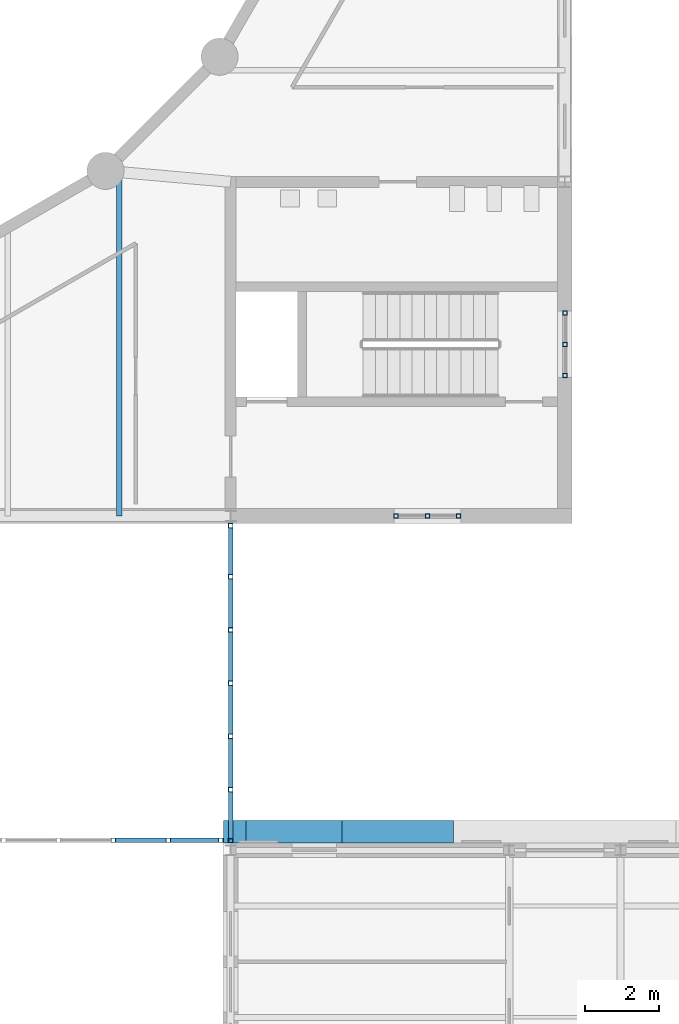
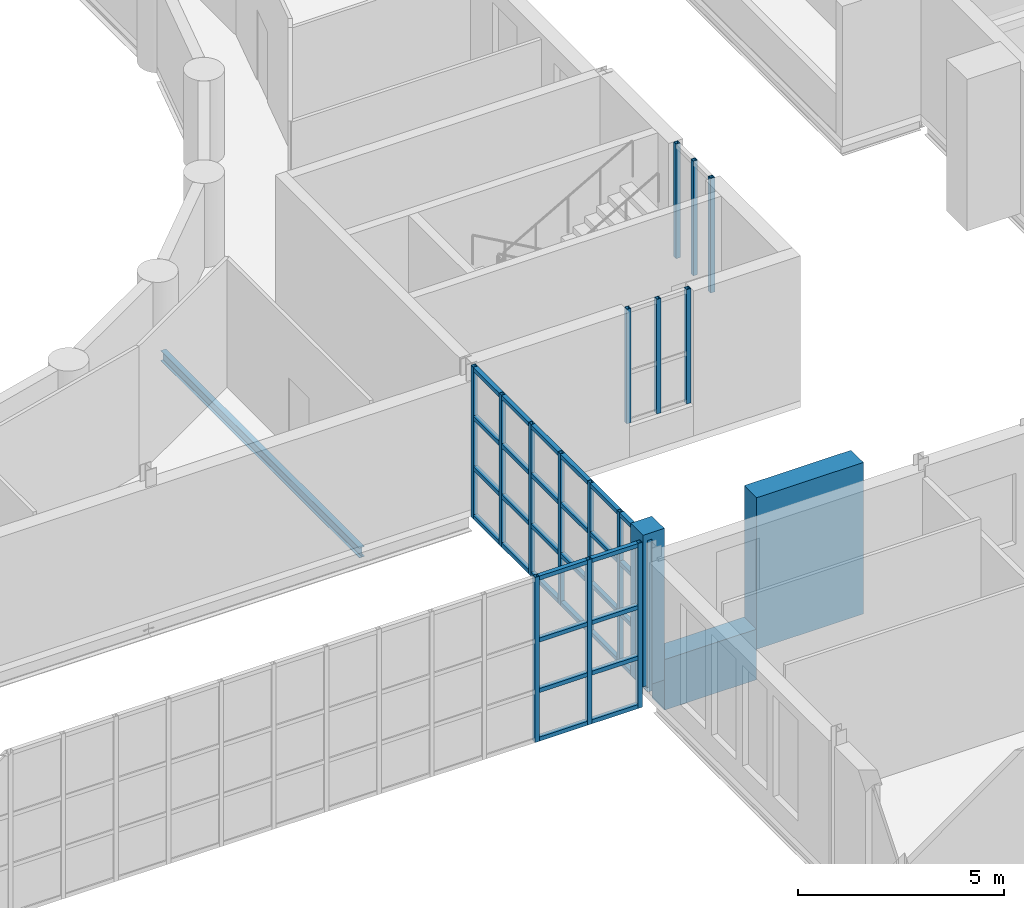
# One storey, part 46 of 134: 50 members, 2 beams, 4 elements without a shape of their own.
"""IFC4 building model written with IfcOpenShell, lengths in metres."""

from ifc_helpers import new_model, si_unit, direction, frame, origin, origin_2d, place, context, subcontext, project, spatial, rectangle, hollow_rectangle, i_section, extrude, material, material_profile, profile_set, type_object, element, aggregate, save


model = new_model("IFC4")

# Units and contexts
model_context = context("Model", 3, precision=1e-05, world=origin(), true_north=direction((0.0, 1.0)))
body_context = subcontext(model_context, "Body", "Model", "MODEL_VIEW")
ifc_project = project(units=[si_unit("LENGTHUNIT", "METRE"), si_unit("AREAUNIT", "SQUARE_METRE"), si_unit("VOLUMEUNIT", "CUBIC_METRE"), si_unit("PLANEANGLEUNIT", "RADIAN"), si_unit("MASSUNIT", "GRAM", prefix="KILO")], contexts=[model_context])

# Site, building, storey
site_placement = place(None, origin())
site = spatial("IfcSite", under=ifc_project, at=site_placement, CompositionType="ELEMENT")
building_placement = place(site_placement, origin())
building = spatial("IfcBuilding", under=site, at=building_placement, Name="Golden Quay Civic Hall", CompositionType="ELEMENT")
storey_placement = place(building_placement, frame((0.0, 0.0, 5.39990234375)))
storey = spatial("IfcBuildingStorey", under=building, at=storey_placement, Name="L01", CompositionType="ELEMENT", Elevation=5.39990234375)

# Curtain wall, members
ifc_material_1 = material(Name="Fire-resisting glass and steel", Category="steel")
curtain_wall_type_1 = type_object("IfcCurtainWallType", Name="Fire-resisting glazed curtain wall EI 120", PredefinedType="NOTDEFINED", material=ifc_material_1)
curtain_wall_1_placement = place(storey_placement, origin())
curtain_wall_1 = element("IfcCurtainWall", 1, at=curtain_wall_1_placement, inside=storey, type_object=curtain_wall_type_1, Name="CW3 curtain wall", PredefinedType="NOTDEFINED")
ifc_material_2 = material(Name="Steel S355", Category="steel")
ifc_material_profile_1 = material_profile(ifc_material_2, hollow_rectangle(XDim=0.1201171875, YDim=0.1201171875, WallThickness=0.008056640625, at=origin_2d()), Name="SHS 120x120x8")
ifc_profile_set_1 = profile_set([ifc_material_profile_1], Name="Steel S355")
member_type_1 = type_object("IfcMemberType", Name="Fire-resisting steel mullion SHS 120x120x8", PredefinedType="MULLION", material=ifc_profile_set_1)
member_1_placement = place(storey_placement, frame((95.844482421875, 54.27001953125, -0.599853515625), z_axis=(0.0, 0.0, 1.0), x_axis=(0.0, 1.0, 0.0)))
member_1 = element("IfcMember", 2, at=member_1_placement, type_object=member_type_1, Name="CW3 mullion 17", PredefinedType="MULLION", context=body_context, shape_type="SweptSolid", body=[
    extrude(hollow_rectangle(XDim=0.1201171875, YDim=0.1201171875, WallThickness=0.008056640625, at=origin_2d()), origin(), (0.0, 0.0, 1.0), 4.89990234375),
])
member_2_placement = place(storey_placement, frame((97.322265625, 54.27001953125, -0.599853515625), z_axis=(0.0, 0.0, 1.0), x_axis=(0.0, 1.0, 0.0)))
member_2 = element("IfcMember", 3, at=member_2_placement, type_object=member_type_1, Name="CW3 mullion 18", PredefinedType="MULLION", context=body_context, shape_type="SweptSolid", body=[
    extrude(hollow_rectangle(XDim=0.1201171875, YDim=0.1201171875, WallThickness=0.008056640625, at=origin_2d()), origin(), (0.0, 0.0, 1.0), 4.89990234375),
])
member_3_placement = place(storey_placement, frame((98.739990234375, 54.27001953125, -0.599853515625), z_axis=(0.0, 0.0, 1.0), x_axis=(0.0, 1.0, 0.0)))
member_3 = element("IfcMember", 4, at=member_3_placement, type_object=member_type_1, Name="CW3 mullion 19", PredefinedType="MULLION", context=body_context, shape_type="SweptSolid", body=[
    extrude(hollow_rectangle(XDim=0.1201171875, YDim=0.1201171875, WallThickness=0.008056640625, at=origin_2d()), origin(), (0.0, 0.0, 1.0), 4.89990234375),
])

ifc_material_3 = material(Name="Fire-resisting glass and steel", Category="steel")
curtain_wall_type_2 = type_object("IfcCurtainWallType", Name="Fire-resisting glazed stair curtain wall EI 120", PredefinedType="NOTDEFINED", material=ifc_material_3)
curtain_wall_2_placement = place(storey_placement, origin())
curtain_wall_2 = element("IfcCurtainWall", 5, at=curtain_wall_2_placement, inside=storey, type_object=curtain_wall_type_2, Name="CW4 stair curtain wall", PredefinedType="NOTDEFINED")
ifc_material_4 = material(Name="Steel S355", Category="steel")
ifc_material_profile_2 = material_profile(ifc_material_4, hollow_rectangle(XDim=0.1201171875, YDim=0.1201171875, WallThickness=0.012451171875, at=origin_2d()), Name="SHS 120x120x12.5")
ifc_profile_set_2 = profile_set([ifc_material_profile_2], Name="Steel S355")
member_type_2 = type_object("IfcMemberType", Name="Fire-resisting steel stair mullion 120 x 120", PredefinedType="MULLION", material=ifc_profile_set_2)
member_4_placement = place(storey_placement, frame((103.4599609375, 63.0, 0.900146484375), z_axis=(0.0, 0.0, 1.0), x_axis=(0.0, 1.0, 0.0)))
member_4 = element("IfcMember", 6, at=member_4_placement, type_object=member_type_2, Name="CW4 mullion 1", PredefinedType="MULLION", context=body_context, shape_type="SweptSolid", body=[
    extrude(hollow_rectangle(XDim=0.1201171875, YDim=0.1201171875, WallThickness=0.012451171875, at=origin_2d()), origin(), (0.0, 0.0, 1.0), 3.39990234375),
])
member_5_placement = place(storey_placement, frame((104.300048828125, 63.0, 0.900146484375), z_axis=(0.0, 0.0, 1.0), x_axis=(0.0, 1.0, 0.0)))
member_5 = element("IfcMember", 7, at=member_5_placement, type_object=member_type_2, Name="CW4 mullion 2", PredefinedType="MULLION", context=body_context, shape_type="SweptSolid", body=[
    extrude(hollow_rectangle(XDim=0.1201171875, YDim=0.1201171875, WallThickness=0.012451171875, at=origin_2d()), origin(), (0.0, 0.0, 1.0), 3.39990234375),
])
member_6_placement = place(storey_placement, frame((105.139892578125, 63.0, 0.900146484375), z_axis=(0.0, 0.0, 1.0), x_axis=(0.0, 1.0, 0.0)))
member_6 = element("IfcMember", 8, at=member_6_placement, type_object=member_type_2, Name="CW4 mullion 3", PredefinedType="MULLION", context=body_context, shape_type="SweptSolid", body=[
    extrude(hollow_rectangle(XDim=0.1201171875, YDim=0.1201171875, WallThickness=0.012451171875, at=origin_2d()), origin(), (0.0, 0.0, 1.0), 3.39990234375),
])
aggregate(curtain_wall_2, [member_4, member_5, member_6])

curtain_wall_3_placement = place(storey_placement, origin())
curtain_wall_3 = element("IfcCurtainWall", 9, at=curtain_wall_3_placement, inside=storey, type_object=curtain_wall_type_2, Name="CW4 stair curtain wall", PredefinedType="NOTDEFINED")
member_7_placement = place(storey_placement, frame((108.0, 66.784912109375, 0.900146484375), z_axis=(0.0, 0.0, 1.0), x_axis=(-1.0, 0.0, 0.0)))
member_7 = element("IfcMember", 10, at=member_7_placement, type_object=member_type_2, Name="CW4 mullion 1", PredefinedType="MULLION", context=body_context, shape_type="SweptSolid", body=[
    extrude(hollow_rectangle(XDim=0.1201171875, YDim=0.1201171875, WallThickness=0.012451171875, at=origin_2d()), origin(), (0.0, 0.0, 1.0), 3.39990234375),
])
member_8_placement = place(storey_placement, frame((108.0, 67.625, 0.900146484375), z_axis=(0.0, 0.0, 1.0), x_axis=(-1.0, 0.0, 0.0)))
member_8 = element("IfcMember", 11, at=member_8_placement, type_object=member_type_2, Name="CW4 mullion 2", PredefinedType="MULLION", context=body_context, shape_type="SweptSolid", body=[
    extrude(hollow_rectangle(XDim=0.1201171875, YDim=0.1201171875, WallThickness=0.012451171875, at=origin_2d()), origin(), (0.0, 0.0, 1.0), 3.39990234375),
])
member_9_placement = place(storey_placement, frame((108.0, 68.465087890625, 0.900146484375), z_axis=(0.0, 0.0, 1.0), x_axis=(-1.0, 0.0, 0.0)))
member_9 = element("IfcMember", 12, at=member_9_placement, type_object=member_type_2, Name="CW4 mullion 3", PredefinedType="MULLION", context=body_context, shape_type="SweptSolid", body=[
    extrude(hollow_rectangle(XDim=0.1201171875, YDim=0.1201171875, WallThickness=0.012451171875, at=origin_2d()), origin(), (0.0, 0.0, 1.0), 3.39990234375),
])
aggregate(curtain_wall_3, [member_7, member_8, member_9])

# Member
ifc_material_5 = material(Name="Steel S355", Category="steel")
ifc_material_profile_3 = material_profile(ifc_material_5, hollow_rectangle(XDim=0.1201171875, YDim=0.1201171875, WallThickness=0.008056640625, at=origin_2d()), Name="SHS 120x120x8")
ifc_profile_set_3 = profile_set([ifc_material_profile_3], Name="Steel S355")
member_type_3 = type_object("IfcMemberType", Name="Fire-resisting steel transom SHS 120x120x8", PredefinedType="USERDEFINED", material=ifc_profile_set_3)
member_10_placement = place(storey_placement, frame((95.904541015625, 54.27001953125, -0.539794921875), z_axis=(1.0, 0.0, 0.0), x_axis=(0.0, 1.0, 0.0)))
member_10 = element("IfcMember", 13, at=member_10_placement, type_object=member_type_3, Name="CW3 transom 17.1", ObjectType="TRANSOM", PredefinedType="USERDEFINED", context=body_context, shape_type="SweptSolid", body=[
    extrude(hollow_rectangle(XDim=0.1201171875, YDim=0.1201171875, WallThickness=0.008056640625, at=origin_2d()), origin(), (0.0, 0.0, 1.0), 1.357666015625),
])

member_11_placement = place(storey_placement, frame((95.904541015625, 54.27001953125, 0.900146484375), z_axis=(1.0, 0.0, 0.0), x_axis=(0.0, 1.0, 0.0)))
member_11 = element("IfcMember", 14, at=member_11_placement, type_object=member_type_3, Name="CW3 transom 17.2", ObjectType="TRANSOM", PredefinedType="USERDEFINED", context=body_context, shape_type="SweptSolid", body=[
    extrude(hollow_rectangle(XDim=0.1201171875, YDim=0.1201171875, WallThickness=0.008056640625, at=origin_2d()), origin(), (0.0, 0.0, 1.0), 1.357666015625),
])

member_12_placement = place(storey_placement, frame((95.904541015625, 54.27001953125, 2.400146484375), z_axis=(1.0, 0.0, 0.0), x_axis=(0.0, 1.0, 0.0)))
member_12 = element("IfcMember", 15, at=member_12_placement, type_object=member_type_3, Name="CW3 transom 17.3", ObjectType="TRANSOM", PredefinedType="USERDEFINED", context=body_context, shape_type="SweptSolid", body=[
    extrude(hollow_rectangle(XDim=0.1201171875, YDim=0.1201171875, WallThickness=0.008056640625, at=origin_2d()), origin(), (0.0, 0.0, 1.0), 1.357666015625),
])

member_13_placement = place(storey_placement, frame((95.904541015625, 54.27001953125, 4.239990234375), z_axis=(1.0, 0.0, 0.0), x_axis=(0.0, 1.0, 0.0)))
member_13 = element("IfcMember", 16, at=member_13_placement, type_object=member_type_3, Name="CW3 transom 17.4", ObjectType="TRANSOM", PredefinedType="USERDEFINED", context=body_context, shape_type="SweptSolid", body=[
    extrude(hollow_rectangle(XDim=0.1201171875, YDim=0.1201171875, WallThickness=0.008056640625, at=origin_2d()), origin(), (0.0, 0.0, 1.0), 1.357666015625),
])

member_14_placement = place(storey_placement, frame((97.38232421875, 54.27001953125, -0.539794921875), z_axis=(1.0, 0.0, 0.0), x_axis=(0.0, 1.0, 0.0)))
member_14 = element("IfcMember", 17, at=member_14_placement, type_object=member_type_3, Name="CW3 transom 18.1", ObjectType="TRANSOM", PredefinedType="USERDEFINED", context=body_context, shape_type="SweptSolid", body=[
    extrude(hollow_rectangle(XDim=0.1201171875, YDim=0.1201171875, WallThickness=0.008056640625, at=origin_2d()), origin(), (0.0, 0.0, 1.0), 1.297607421875),
])

member_15_placement = place(storey_placement, frame((97.38232421875, 54.27001953125, 0.900146484375), z_axis=(1.0, 0.0, 0.0), x_axis=(0.0, 1.0, 0.0)))
member_15 = element("IfcMember", 18, at=member_15_placement, type_object=member_type_3, Name="CW3 transom 18.2", ObjectType="TRANSOM", PredefinedType="USERDEFINED", context=body_context, shape_type="SweptSolid", body=[
    extrude(hollow_rectangle(XDim=0.1201171875, YDim=0.1201171875, WallThickness=0.008056640625, at=origin_2d()), origin(), (0.0, 0.0, 1.0), 1.297607421875),
])

member_16_placement = place(storey_placement, frame((97.38232421875, 54.27001953125, 2.400146484375), z_axis=(1.0, 0.0, 0.0), x_axis=(0.0, 1.0, 0.0)))
member_16 = element("IfcMember", 19, at=member_16_placement, type_object=member_type_3, Name="CW3 transom 18.3", ObjectType="TRANSOM", PredefinedType="USERDEFINED", context=body_context, shape_type="SweptSolid", body=[
    extrude(hollow_rectangle(XDim=0.1201171875, YDim=0.1201171875, WallThickness=0.008056640625, at=origin_2d()), origin(), (0.0, 0.0, 1.0), 1.297607421875),
])

member_17_placement = place(storey_placement, frame((97.38232421875, 54.27001953125, 4.239990234375), z_axis=(1.0, 0.0, 0.0), x_axis=(0.0, 1.0, 0.0)))
member_17 = element("IfcMember", 20, at=member_17_placement, type_object=member_type_3, Name="CW3 transom 18.4", ObjectType="TRANSOM", PredefinedType="USERDEFINED", context=body_context, shape_type="SweptSolid", body=[
    extrude(hollow_rectangle(XDim=0.1201171875, YDim=0.1201171875, WallThickness=0.008056640625, at=origin_2d()), origin(), (0.0, 0.0, 1.0), 1.297607421875),
])

aggregate(curtain_wall_1, [member_1, member_2, member_3, member_10, member_11, member_12, member_13, member_14, member_15, member_16, member_17])

# Members
ifc_material_6 = material(Name="Concrete C40/50", Category="concrete")
ifc_material_profile_4 = material_profile(ifc_material_6, rectangle(XDim=3.0, YDim=0.60009765625, at=origin_2d()), Name="RC 3000x600")
ifc_profile_set_4 = profile_set([ifc_material_profile_4], Name="Concrete C40/50")
member_type_4 = type_object("IfcMemberType", Name="Precast concrete facade pier 3000 x 600", PredefinedType="POST", material=ifc_profile_set_4)
member_18_placement = place(storey_placement, frame((103.5, 54.5, 0.0), z_axis=(0.0, 0.0, 1.0), x_axis=(1.0, 0.0, 0.0)))
element("IfcMember", 21, at=member_18_placement, inside=storey, type_object=member_type_4, Name="Precast concrete facade pier 3000 x 600 L01 26", PredefinedType="POST", context=body_context, shape_type="SweptSolid", body=[
    extrude(rectangle(XDim=3.0, YDim=0.60009765625, at=origin_2d()), origin(), (0.0, 0.0, 1.0), 4.5),
])
ifc_material_7 = material(Name="Concrete C40/50", Category="concrete")
ifc_material_profile_5 = material_profile(ifc_material_7, rectangle(XDim=0.60009765625, YDim=0.60009765625, at=origin_2d()), Name="RC 600x600")
ifc_profile_set_5 = profile_set([ifc_material_profile_5], Name="Concrete C40/50")
member_type_5 = type_object("IfcMemberType", Name="Precast concrete facade post 600 x 600", PredefinedType="POST", material=ifc_profile_set_5)
member_19_placement = place(storey_placement, frame((99.110107421875, 54.5, 0.0), z_axis=(0.0, 0.0, 1.0), x_axis=(1.0, 0.0, 0.0)))
element("IfcMember", 22, at=member_19_placement, inside=storey, type_object=member_type_5, Name="Precast concrete facade post 600 x 600 L01 10", PredefinedType="POST", context=body_context, shape_type="SweptSolid", body=[
    extrude(rectangle(XDim=0.60009765625, YDim=0.60009765625, at=origin_2d()), origin(), (0.0, 0.0, 1.0), 4.5),
])

# Beams
ifc_material_8 = material(Name="Concrete C40/50", Category="concrete")
ifc_material_profile_6 = material_profile(ifc_material_8, rectangle(XDim=0.60009765625, YDim=1.5, at=origin_2d()), Name="RC 600x1500")
ifc_profile_set_6 = profile_set([ifc_material_profile_6], Name="Concrete C40/50")
beam_type_1 = type_object("IfcBeamType", Name="Precast concrete spandrel beam 600 x 1500", PredefinedType="SPANDREL", material=ifc_profile_set_6)
beam_1_placement = place(storey_placement, frame((99.409912109375, 54.5, -0.14990234375), z_axis=(1.0, 0.0, 0.0), x_axis=(0.0, 1.0, 0.0)))
element("IfcBeam", 23, at=beam_1_placement, inside=storey, type_object=beam_type_1, Name="Precast concrete spandrel beam 600 x 1500 L01 26", PredefinedType="SPANDREL", context=body_context, shape_type="SweptSolid", body=[
    extrude(rectangle(XDim=0.60009765625, YDim=1.5, at=origin_2d()), origin(), (0.0, 0.0, 1.0), 2.590087890625),
])
ifc_material_9 = material(Name="Steel S355", Category="steel")
ifc_material_profile_7 = material_profile(ifc_material_9, i_section(OverallWidth=0.14990234375, OverallDepth=0.300048828125, WebThickness=0.007080078125, FlangeThickness=0.0107421875, FilletRadius=0.014892578125, at=origin_2d()), Name="IPE 300")
ifc_profile_set_7 = profile_set([ifc_material_profile_7], Name="Steel S355")
beam_type_2 = type_object("IfcBeamType", Name="Steel joist IPE 300", PredefinedType="JOIST", material=ifc_profile_set_7)
beam_2_placement = place(storey_placement, frame((96.0, 63.0, -0.349853515625), z_axis=(0.0, 1.0, 0.0), x_axis=(-1.0, 0.0, 0.0)))
element("IfcBeam", 24, at=beam_2_placement, inside=storey, type_object=beam_type_2, Name="Floor joist 6", PredefinedType="JOIST", context=body_context, shape_type="SweptSolid", body=[
    extrude(i_section(OverallWidth=0.14990234375, OverallDepth=0.300048828125, WebThickness=0.007080078125, FlangeThickness=0.0107421875, FilletRadius=0.014892578125, at=origin_2d()), origin(), (0.0, 0.0, 1.0), 9.66552734375),
])

# Curtain wall, members
ifc_material_10 = material(Name="Glass and aluminium", Category="aluminium")
curtain_wall_type_3 = type_object("IfcCurtainWallType", Name="Glazed curtain wall 1500 module", PredefinedType="NOTDEFINED", material=ifc_material_10)
curtain_wall_4_placement = place(storey_placement, origin())
curtain_wall_4 = element("IfcCurtainWall", 25, at=curtain_wall_4_placement, inside=storey, type_object=curtain_wall_type_3, Name="CW1 curtain wall", PredefinedType="NOTDEFINED")
ifc_material_11 = material(Name="Steel S355", Category="steel")
ifc_material_profile_8 = material_profile(ifc_material_11, hollow_rectangle(XDim=0.1201171875, YDim=0.1201171875, WallThickness=0.008056640625, at=origin_2d()), Name="SHS 120x120x8")
ifc_profile_set_8 = profile_set([ifc_material_profile_8], Name="Steel S355")
member_type_6 = type_object("IfcMemberType", Name="Steel mullion SHS 120x120x8", PredefinedType="MULLION", material=ifc_profile_set_8)
member_20_placement = place(storey_placement, frame((99.0, 54.260009765625, -0.199951171875), z_axis=(0.0, 0.0, 1.0), x_axis=(-1.0, 0.0, 0.0)))
member_20 = element("IfcMember", 26, at=member_20_placement, type_object=member_type_6, Name="CW1 mullion 1", PredefinedType="MULLION", context=body_context, shape_type="SweptSolid", body=[
    extrude(hollow_rectangle(XDim=0.1201171875, YDim=0.1201171875, WallThickness=0.008056640625, at=origin_2d()), origin(), (0.0, 0.0, 1.0), 4.5),
])
member_21_placement = place(storey_placement, frame((99.0, 55.63330078125, -0.199951171875), z_axis=(0.0, 0.0, 1.0), x_axis=(-1.0, 0.0, 0.0)))
member_21 = element("IfcMember", 27, at=member_21_placement, type_object=member_type_6, Name="CW1 mullion 2", PredefinedType="MULLION", context=body_context, shape_type="SweptSolid", body=[
    extrude(hollow_rectangle(XDim=0.1201171875, YDim=0.1201171875, WallThickness=0.008056640625, at=origin_2d()), origin(), (0.0, 0.0, 1.0), 4.5),
])
member_22_placement = place(storey_placement, frame((99.0, 57.066650390625, -0.199951171875), z_axis=(0.0, 0.0, 1.0), x_axis=(-1.0, 0.0, 0.0)))
member_22 = element("IfcMember", 28, at=member_22_placement, type_object=member_type_6, Name="CW1 mullion 3", PredefinedType="MULLION", context=body_context, shape_type="SweptSolid", body=[
    extrude(hollow_rectangle(XDim=0.1201171875, YDim=0.1201171875, WallThickness=0.008056640625, at=origin_2d()), origin(), (0.0, 0.0, 1.0), 4.5),
])
member_23_placement = place(storey_placement, frame((99.0, 58.5, -0.199951171875), z_axis=(0.0, 0.0, 1.0), x_axis=(-1.0, 0.0, 0.0)))
member_23 = element("IfcMember", 29, at=member_23_placement, type_object=member_type_6, Name="CW1 mullion 4", PredefinedType="MULLION", context=body_context, shape_type="SweptSolid", body=[
    extrude(hollow_rectangle(XDim=0.1201171875, YDim=0.1201171875, WallThickness=0.008056640625, at=origin_2d()), origin(), (0.0, 0.0, 1.0), 4.5),
])
member_24_placement = place(storey_placement, frame((99.0, 59.933349609375, -0.199951171875), z_axis=(0.0, 0.0, 1.0), x_axis=(-1.0, 0.0, 0.0)))
member_24 = element("IfcMember", 30, at=member_24_placement, type_object=member_type_6, Name="CW1 mullion 5", PredefinedType="MULLION", context=body_context, shape_type="SweptSolid", body=[
    extrude(hollow_rectangle(XDim=0.1201171875, YDim=0.1201171875, WallThickness=0.008056640625, at=origin_2d()), origin(), (0.0, 0.0, 1.0), 4.5),
])
member_25_placement = place(storey_placement, frame((99.0, 61.36669921875, -0.199951171875), z_axis=(0.0, 0.0, 1.0), x_axis=(-1.0, 0.0, 0.0)))
member_25 = element("IfcMember", 31, at=member_25_placement, type_object=member_type_6, Name="CW1 mullion 6", PredefinedType="MULLION", context=body_context, shape_type="SweptSolid", body=[
    extrude(hollow_rectangle(XDim=0.1201171875, YDim=0.1201171875, WallThickness=0.008056640625, at=origin_2d()), origin(), (0.0, 0.0, 1.0), 4.5),
])
member_26_placement = place(storey_placement, frame((99.0, 62.739990234375, -0.199951171875), z_axis=(0.0, 0.0, 1.0), x_axis=(-1.0, 0.0, 0.0)))
member_26 = element("IfcMember", 32, at=member_26_placement, type_object=member_type_6, Name="CW1 mullion 7", PredefinedType="MULLION", context=body_context, shape_type="SweptSolid", body=[
    extrude(hollow_rectangle(XDim=0.1201171875, YDim=0.1201171875, WallThickness=0.008056640625, at=origin_2d()), origin(), (0.0, 0.0, 1.0), 4.5),
])
ifc_material_12 = material(Name="Steel S355", Category="steel")
ifc_material_profile_9 = material_profile(ifc_material_12, hollow_rectangle(XDim=0.1201171875, YDim=0.1201171875, WallThickness=0.008056640625, at=origin_2d()), Name="SHS 120x120x8")
ifc_profile_set_9 = profile_set([ifc_material_profile_9], Name="Steel S355")
member_type_7 = type_object("IfcMemberType", Name="Steel transom SHS 120x120x8", PredefinedType="USERDEFINED", material=ifc_profile_set_9)
member_27_placement = place(storey_placement, frame((99.0, 54.320068359375, -0.139892578125), z_axis=(0.0, 1.0, 0.0), x_axis=(-1.0, 0.0, 0.0)))
member_27 = element("IfcMember", 33, at=member_27_placement, type_object=member_type_7, Name="CW1 transom 1.1", ObjectType="TRANSOM", PredefinedType="USERDEFINED", context=body_context, shape_type="SweptSolid", body=[
    extrude(hollow_rectangle(XDim=0.1201171875, YDim=0.1201171875, WallThickness=0.008056640625, at=origin_2d()), origin(), (0.0, 0.0, 1.0), 1.253173828125),
])
member_28_placement = place(storey_placement, frame((99.0, 54.320068359375, 1.300048828125), z_axis=(0.0, 1.0, 0.0), x_axis=(-1.0, 0.0, 0.0)))
member_28 = element("IfcMember", 34, at=member_28_placement, type_object=member_type_7, Name="CW1 transom 1.2", ObjectType="TRANSOM", PredefinedType="USERDEFINED", context=body_context, shape_type="SweptSolid", body=[
    extrude(hollow_rectangle(XDim=0.1201171875, YDim=0.1201171875, WallThickness=0.008056640625, at=origin_2d()), origin(), (0.0, 0.0, 1.0), 1.253173828125),
])
member_29_placement = place(storey_placement, frame((99.0, 54.320068359375, 2.800048828125), z_axis=(0.0, 1.0, 0.0), x_axis=(-1.0, 0.0, 0.0)))
member_29 = element("IfcMember", 35, at=member_29_placement, type_object=member_type_7, Name="CW1 transom 1.3", ObjectType="TRANSOM", PredefinedType="USERDEFINED", context=body_context, shape_type="SweptSolid", body=[
    extrude(hollow_rectangle(XDim=0.1201171875, YDim=0.1201171875, WallThickness=0.008056640625, at=origin_2d()), origin(), (0.0, 0.0, 1.0), 1.253173828125),
])
member_30_placement = place(storey_placement, frame((99.0, 54.320068359375, 4.239990234375), z_axis=(0.0, 1.0, 0.0), x_axis=(-1.0, 0.0, 0.0)))
member_30 = element("IfcMember", 36, at=member_30_placement, type_object=member_type_7, Name="CW1 transom 1.4", ObjectType="TRANSOM", PredefinedType="USERDEFINED", context=body_context, shape_type="SweptSolid", body=[
    extrude(hollow_rectangle(XDim=0.1201171875, YDim=0.1201171875, WallThickness=0.008056640625, at=origin_2d()), origin(), (0.0, 0.0, 1.0), 1.253173828125),
])
member_31_placement = place(storey_placement, frame((99.0, 55.693359375, -0.139892578125), z_axis=(0.0, 1.0, 0.0), x_axis=(-1.0, 0.0, 0.0)))
member_31 = element("IfcMember", 37, at=member_31_placement, type_object=member_type_7, Name="CW1 transom 2.1", ObjectType="TRANSOM", PredefinedType="USERDEFINED", context=body_context, shape_type="SweptSolid", body=[
    extrude(hollow_rectangle(XDim=0.1201171875, YDim=0.1201171875, WallThickness=0.008056640625, at=origin_2d()), origin(), (0.0, 0.0, 1.0), 1.313232421875),
])
member_32_placement = place(storey_placement, frame((99.0, 55.693359375, 1.300048828125), z_axis=(0.0, 1.0, 0.0), x_axis=(-1.0, 0.0, 0.0)))
member_32 = element("IfcMember", 38, at=member_32_placement, type_object=member_type_7, Name="CW1 transom 2.2", ObjectType="TRANSOM", PredefinedType="USERDEFINED", context=body_context, shape_type="SweptSolid", body=[
    extrude(hollow_rectangle(XDim=0.1201171875, YDim=0.1201171875, WallThickness=0.008056640625, at=origin_2d()), origin(), (0.0, 0.0, 1.0), 1.313232421875),
])
member_33_placement = place(storey_placement, frame((99.0, 55.693359375, 2.800048828125), z_axis=(0.0, 1.0, 0.0), x_axis=(-1.0, 0.0, 0.0)))
member_33 = element("IfcMember", 39, at=member_33_placement, type_object=member_type_7, Name="CW1 transom 2.3", ObjectType="TRANSOM", PredefinedType="USERDEFINED", context=body_context, shape_type="SweptSolid", body=[
    extrude(hollow_rectangle(XDim=0.1201171875, YDim=0.1201171875, WallThickness=0.008056640625, at=origin_2d()), origin(), (0.0, 0.0, 1.0), 1.313232421875),
])
member_34_placement = place(storey_placement, frame((99.0, 55.693359375, 4.239990234375), z_axis=(0.0, 1.0, 0.0), x_axis=(-1.0, 0.0, 0.0)))
member_34 = element("IfcMember", 40, at=member_34_placement, type_object=member_type_7, Name="CW1 transom 2.4", ObjectType="TRANSOM", PredefinedType="USERDEFINED", context=body_context, shape_type="SweptSolid", body=[
    extrude(hollow_rectangle(XDim=0.1201171875, YDim=0.1201171875, WallThickness=0.008056640625, at=origin_2d()), origin(), (0.0, 0.0, 1.0), 1.313232421875),
])
member_35_placement = place(storey_placement, frame((99.0, 57.126708984375, -0.139892578125), z_axis=(0.0, 1.0, 0.0), x_axis=(-1.0, 0.0, 0.0)))
member_35 = element("IfcMember", 41, at=member_35_placement, type_object=member_type_7, Name="CW1 transom 3.1", ObjectType="TRANSOM", PredefinedType="USERDEFINED", context=body_context, shape_type="SweptSolid", body=[
    extrude(hollow_rectangle(XDim=0.1201171875, YDim=0.1201171875, WallThickness=0.008056640625, at=origin_2d()), origin(), (0.0, 0.0, 1.0), 1.313232421875),
])
member_36_placement = place(storey_placement, frame((99.0, 57.126708984375, 1.300048828125), z_axis=(0.0, 1.0, 0.0), x_axis=(-1.0, 0.0, 0.0)))
member_36 = element("IfcMember", 42, at=member_36_placement, type_object=member_type_7, Name="CW1 transom 3.2", ObjectType="TRANSOM", PredefinedType="USERDEFINED", context=body_context, shape_type="SweptSolid", body=[
    extrude(hollow_rectangle(XDim=0.1201171875, YDim=0.1201171875, WallThickness=0.008056640625, at=origin_2d()), origin(), (0.0, 0.0, 1.0), 1.313232421875),
])
member_37_placement = place(storey_placement, frame((99.0, 57.126708984375, 2.800048828125), z_axis=(0.0, 1.0, 0.0), x_axis=(-1.0, 0.0, 0.0)))
member_37 = element("IfcMember", 43, at=member_37_placement, type_object=member_type_7, Name="CW1 transom 3.3", ObjectType="TRANSOM", PredefinedType="USERDEFINED", context=body_context, shape_type="SweptSolid", body=[
    extrude(hollow_rectangle(XDim=0.1201171875, YDim=0.1201171875, WallThickness=0.008056640625, at=origin_2d()), origin(), (0.0, 0.0, 1.0), 1.313232421875),
])
member_38_placement = place(storey_placement, frame((99.0, 57.126708984375, 4.239990234375), z_axis=(0.0, 1.0, 0.0), x_axis=(-1.0, 0.0, 0.0)))
member_38 = element("IfcMember", 44, at=member_38_placement, type_object=member_type_7, Name="CW1 transom 3.4", ObjectType="TRANSOM", PredefinedType="USERDEFINED", context=body_context, shape_type="SweptSolid", body=[
    extrude(hollow_rectangle(XDim=0.1201171875, YDim=0.1201171875, WallThickness=0.008056640625, at=origin_2d()), origin(), (0.0, 0.0, 1.0), 1.313232421875),
])
member_39_placement = place(storey_placement, frame((99.0, 58.56005859375, -0.139892578125), z_axis=(0.0, 1.0, 0.0), x_axis=(-1.0, 0.0, 0.0)))
member_39 = element("IfcMember", 45, at=member_39_placement, type_object=member_type_7, Name="CW1 transom 4.1", ObjectType="TRANSOM", PredefinedType="USERDEFINED", context=body_context, shape_type="SweptSolid", body=[
    extrude(hollow_rectangle(XDim=0.1201171875, YDim=0.1201171875, WallThickness=0.008056640625, at=origin_2d()), origin(), (0.0, 0.0, 1.0), 1.313232421875),
])
member_40_placement = place(storey_placement, frame((99.0, 58.56005859375, 1.300048828125), z_axis=(0.0, 1.0, 0.0), x_axis=(-1.0, 0.0, 0.0)))
member_40 = element("IfcMember", 46, at=member_40_placement, type_object=member_type_7, Name="CW1 transom 4.2", ObjectType="TRANSOM", PredefinedType="USERDEFINED", context=body_context, shape_type="SweptSolid", body=[
    extrude(hollow_rectangle(XDim=0.1201171875, YDim=0.1201171875, WallThickness=0.008056640625, at=origin_2d()), origin(), (0.0, 0.0, 1.0), 1.313232421875),
])
member_41_placement = place(storey_placement, frame((99.0, 58.56005859375, 2.800048828125), z_axis=(0.0, 1.0, 0.0), x_axis=(-1.0, 0.0, 0.0)))
member_41 = element("IfcMember", 47, at=member_41_placement, type_object=member_type_7, Name="CW1 transom 4.3", ObjectType="TRANSOM", PredefinedType="USERDEFINED", context=body_context, shape_type="SweptSolid", body=[
    extrude(hollow_rectangle(XDim=0.1201171875, YDim=0.1201171875, WallThickness=0.008056640625, at=origin_2d()), origin(), (0.0, 0.0, 1.0), 1.313232421875),
])
member_42_placement = place(storey_placement, frame((99.0, 58.56005859375, 4.239990234375), z_axis=(0.0, 1.0, 0.0), x_axis=(-1.0, 0.0, 0.0)))
member_42 = element("IfcMember", 48, at=member_42_placement, type_object=member_type_7, Name="CW1 transom 4.4", ObjectType="TRANSOM", PredefinedType="USERDEFINED", context=body_context, shape_type="SweptSolid", body=[
    extrude(hollow_rectangle(XDim=0.1201171875, YDim=0.1201171875, WallThickness=0.008056640625, at=origin_2d()), origin(), (0.0, 0.0, 1.0), 1.313232421875),
])
member_43_placement = place(storey_placement, frame((99.0, 59.993408203125, -0.139892578125), z_axis=(0.0, 1.0, 0.0), x_axis=(-1.0, 0.0, 0.0)))
member_43 = element("IfcMember", 49, at=member_43_placement, type_object=member_type_7, Name="CW1 transom 5.1", ObjectType="TRANSOM", PredefinedType="USERDEFINED", context=body_context, shape_type="SweptSolid", body=[
    extrude(hollow_rectangle(XDim=0.1201171875, YDim=0.1201171875, WallThickness=0.008056640625, at=origin_2d()), origin(), (0.0, 0.0, 1.0), 1.313232421875),
])
member_44_placement = place(storey_placement, frame((99.0, 59.993408203125, 1.300048828125), z_axis=(0.0, 1.0, 0.0), x_axis=(-1.0, 0.0, 0.0)))
member_44 = element("IfcMember", 50, at=member_44_placement, type_object=member_type_7, Name="CW1 transom 5.2", ObjectType="TRANSOM", PredefinedType="USERDEFINED", context=body_context, shape_type="SweptSolid", body=[
    extrude(hollow_rectangle(XDim=0.1201171875, YDim=0.1201171875, WallThickness=0.008056640625, at=origin_2d()), origin(), (0.0, 0.0, 1.0), 1.313232421875),
])
member_45_placement = place(storey_placement, frame((99.0, 59.993408203125, 2.800048828125), z_axis=(0.0, 1.0, 0.0), x_axis=(-1.0, 0.0, 0.0)))
member_45 = element("IfcMember", 51, at=member_45_placement, type_object=member_type_7, Name="CW1 transom 5.3", ObjectType="TRANSOM", PredefinedType="USERDEFINED", context=body_context, shape_type="SweptSolid", body=[
    extrude(hollow_rectangle(XDim=0.1201171875, YDim=0.1201171875, WallThickness=0.008056640625, at=origin_2d()), origin(), (0.0, 0.0, 1.0), 1.313232421875),
])
member_46_placement = place(storey_placement, frame((99.0, 59.993408203125, 4.239990234375), z_axis=(0.0, 1.0, 0.0), x_axis=(-1.0, 0.0, 0.0)))
member_46 = element("IfcMember", 52, at=member_46_placement, type_object=member_type_7, Name="CW1 transom 5.4", ObjectType="TRANSOM", PredefinedType="USERDEFINED", context=body_context, shape_type="SweptSolid", body=[
    extrude(hollow_rectangle(XDim=0.1201171875, YDim=0.1201171875, WallThickness=0.008056640625, at=origin_2d()), origin(), (0.0, 0.0, 1.0), 1.313232421875),
])
member_47_placement = place(storey_placement, frame((99.0, 61.4267578125, -0.139892578125), z_axis=(0.0, 1.0, 0.0), x_axis=(-1.0, 0.0, 0.0)))
member_47 = element("IfcMember", 53, at=member_47_placement, type_object=member_type_7, Name="CW1 transom 6.1", ObjectType="TRANSOM", PredefinedType="USERDEFINED", context=body_context, shape_type="SweptSolid", body=[
    extrude(hollow_rectangle(XDim=0.1201171875, YDim=0.1201171875, WallThickness=0.008056640625, at=origin_2d()), origin(), (0.0, 0.0, 1.0), 1.253173828125),
])
member_48_placement = place(storey_placement, frame((99.0, 61.4267578125, 1.300048828125), z_axis=(0.0, 1.0, 0.0), x_axis=(-1.0, 0.0, 0.0)))
member_48 = element("IfcMember", 54, at=member_48_placement, type_object=member_type_7, Name="CW1 transom 6.2", ObjectType="TRANSOM", PredefinedType="USERDEFINED", context=body_context, shape_type="SweptSolid", body=[
    extrude(hollow_rectangle(XDim=0.1201171875, YDim=0.1201171875, WallThickness=0.008056640625, at=origin_2d()), origin(), (0.0, 0.0, 1.0), 1.253173828125),
])
member_49_placement = place(storey_placement, frame((99.0, 61.4267578125, 2.800048828125), z_axis=(0.0, 1.0, 0.0), x_axis=(-1.0, 0.0, 0.0)))
member_49 = element("IfcMember", 55, at=member_49_placement, type_object=member_type_7, Name="CW1 transom 6.3", ObjectType="TRANSOM", PredefinedType="USERDEFINED", context=body_context, shape_type="SweptSolid", body=[
    extrude(hollow_rectangle(XDim=0.1201171875, YDim=0.1201171875, WallThickness=0.008056640625, at=origin_2d()), origin(), (0.0, 0.0, 1.0), 1.253173828125),
])
member_50_placement = place(storey_placement, frame((99.0, 61.4267578125, 4.239990234375), z_axis=(0.0, 1.0, 0.0), x_axis=(-1.0, 0.0, 0.0)))
member_50 = element("IfcMember", 56, at=member_50_placement, type_object=member_type_7, Name="CW1 transom 6.4", ObjectType="TRANSOM", PredefinedType="USERDEFINED", context=body_context, shape_type="SweptSolid", body=[
    extrude(hollow_rectangle(XDim=0.1201171875, YDim=0.1201171875, WallThickness=0.008056640625, at=origin_2d()), origin(), (0.0, 0.0, 1.0), 1.253173828125),
])
aggregate(curtain_wall_4, [member_20, member_21, member_22, member_23, member_24, member_25, member_26, member_27, member_28, member_29, member_30, member_31, member_32, member_33, member_34, member_35, member_36, member_37, member_38, member_39, member_40, member_41, member_42, member_43, member_44, member_45, member_46, member_47, member_48, member_49, member_50])

save(model, "model.ifc")
